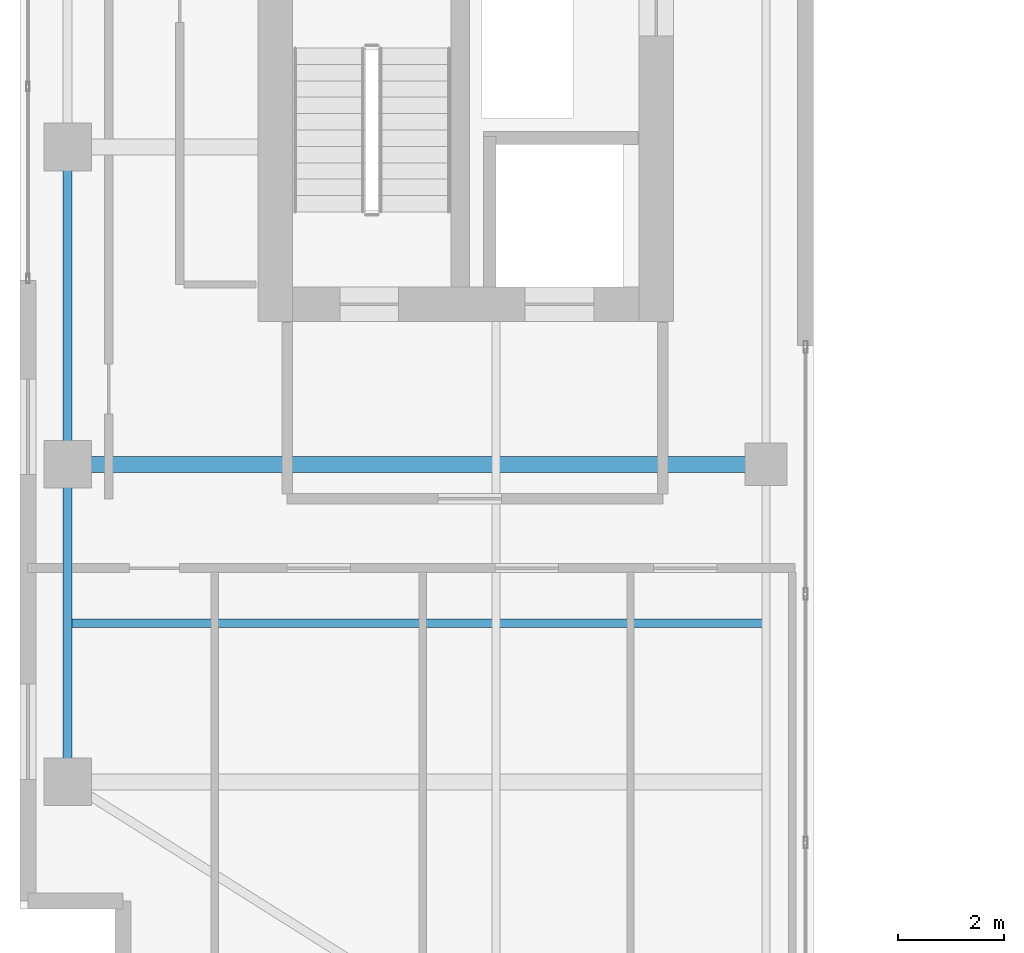
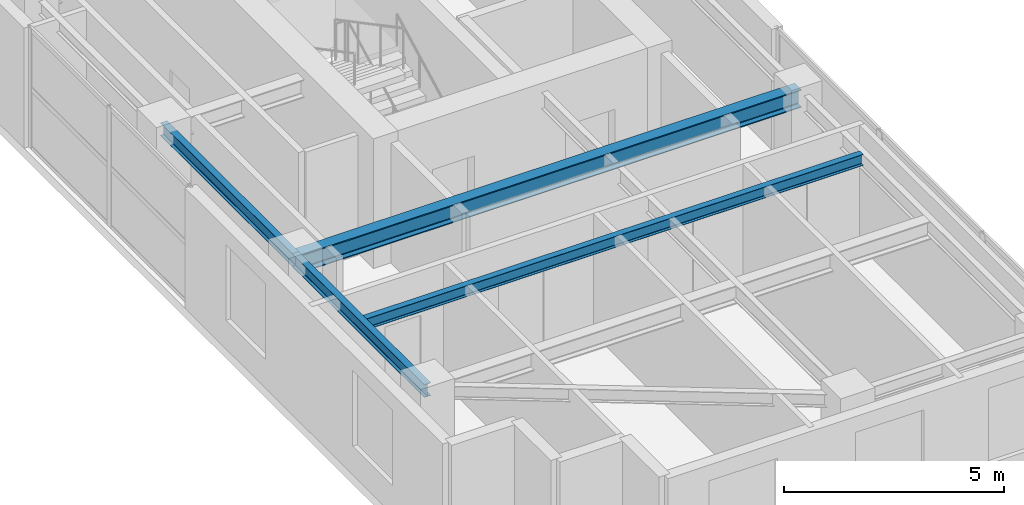
# One storey, part 3 of 20: 4 beams.
"""IFC4 building model written with IfcOpenShell, lengths in metres."""

from ifc_helpers import new_model, si_unit, direction, frame, origin, origin_2d, place, context, subcontext, project, spatial, i_section, extrude, source, transform, mapped, material, material_profile, profile_set, type_object, element, save


model = new_model("IFC4")

# Units and contexts
model_context = context("Model", 3, precision=1e-05, world=origin(), true_north=direction((0.0, 1.0)))
body_context = subcontext(model_context, "Body", "Model", "MODEL_VIEW")
ifc_project = project(units=[si_unit("LENGTHUNIT", "METRE"), si_unit("AREAUNIT", "SQUARE_METRE"), si_unit("VOLUMEUNIT", "CUBIC_METRE"), si_unit("PLANEANGLEUNIT", "RADIAN"), si_unit("MASSUNIT", "GRAM", prefix="KILO")], contexts=[model_context])

# Site, building, storey
site_placement = place(None, origin())
site = spatial("IfcSite", under=ifc_project, at=site_placement, CompositionType="ELEMENT")
building_placement = place(site_placement, origin())
building = spatial("IfcBuilding", under=site, at=building_placement, Name="Khoralis Quay Care Tower", CompositionType="ELEMENT")
storey_placement = place(building_placement, frame((0.0, 0.0, 198.89990234375)))
storey = spatial("IfcBuildingStorey", under=building, at=storey_placement, Name="L52", CompositionType="ELEMENT", Elevation=198.89990234375)

# Beams
ifc_material = material(Name="Steel S355", Category="steel")
ifc_material_profile_1 = material_profile(ifc_material, i_section(OverallWidth=0.169921875, OverallDepth=0.360107421875, WebThickness=0.008056640625, FlangeThickness=0.0126953125, FilletRadius=0.01806640625, at=origin_2d()), Name="Steel S355")
ifc_profile_set_1 = profile_set([ifc_material_profile_1], Name="Steel S355")
beam_type_1 = type_object("IfcBeamType", Name="BM-IPE360", PredefinedType="SPANDREL", material=ifc_profile_set_1)
shared_shape_1 = source(origin(), body_context, "Body", "SweptSolid", [
    extrude(i_section(OverallWidth=0.169921875, OverallDepth=0.360107421875, WebThickness=0.008056640625, FlangeThickness=0.0126953125, FilletRadius=0.01806640625, at=origin_2d()), origin(), (0.0, 0.0, 1.0), 6.0),
])
for number, where, z_axis, x_axis, name in (
    (1, (3.89990234375, 6.0, 3.16015625), (0.0, 1.0, 0.0), (-1.0, 0.0, 0.0), "BM-TSP-L52-05"),
    (2, (3.89990234375, 12.0, 3.16015625), (0.0, 1.0, 0.0), (-1.0, 0.0, 0.0), "BM-TSP-L52-06"),
):
    element("IfcBeam", number, at=place(storey_placement, frame(where, z_axis=z_axis, x_axis=x_axis)), inside=storey, type_object=beam_type_1, Name=name, PredefinedType="SPANDREL", context=body_context, shape_type="MappedRepresentation", body=[
        mapped(shared_shape_1, transform((0.0, 0.0, 0.0), scale=1.0)),
    ])
ifc_material_profile_2 = material_profile(ifc_material, i_section(OverallWidth=0.300048828125, OverallDepth=0.5, WebThickness=0.014404296875, FlangeThickness=0.028076171875, FilletRadius=0.027099609375, at=origin_2d()), Name="Steel S355")
ifc_profile_set_2 = profile_set([ifc_material_profile_2], Name="Steel S355")
beam_type_2 = type_object("IfcBeamType", Name="BM-HEB500", PredefinedType="BEAM", material=ifc_profile_set_2)
shared_shape_2 = source(origin(), body_context, "Body", "SweptSolid", [
    extrude(i_section(OverallWidth=0.300048828125, OverallDepth=0.5, WebThickness=0.014404296875, FlangeThickness=0.028076171875, FilletRadius=0.027099609375, at=origin_2d()), origin(), (0.0, 0.0, 1.0), 13.2001953125),
])
beam_1_placement = place(storey_placement, frame((3.89990234375, 12.0, 3.090087890625), z_axis=(1.0, 0.0, 0.0), x_axis=(0.0, 1.0, 0.0)))
element("IfcBeam", 3, at=beam_1_placement, inside=storey, type_object=beam_type_2, Name="BM-TGXW-L52-120", PredefinedType="BEAM", context=body_context, shape_type="MappedRepresentation", body=[
    mapped(shared_shape_2, transform((0.0, 0.0, 0.0), scale=1.0)),
])
ifc_material_profile_3 = material_profile(ifc_material, i_section(OverallWidth=0.1650390625, OverallDepth=0.31005859375, WebThickness=0.005859375, FlangeThickness=0.009765625, FilletRadius=0.011962890625, at=origin_2d()), Name="Steel S355")
ifc_profile_set_3 = profile_set([ifc_material_profile_3], Name="Steel S355")
beam_type_3 = type_object("IfcBeamType", Name="BM-W310X39", PredefinedType="JOIST", material=ifc_profile_set_3)
shared_shape_3 = source(origin(), body_context, "Body", "SweptSolid", [
    extrude(i_section(OverallWidth=0.1650390625, OverallDepth=0.31005859375, WebThickness=0.005859375, FlangeThickness=0.009765625, FilletRadius=0.011962890625, at=origin_2d()), origin(), (0.0, 0.0, 1.0), 13.06396484375),
])
beam_2_placement = place(storey_placement, frame((3.970947265625, 9.0, 3.18505859375), z_axis=(1.0, 0.0, 0.0), x_axis=(0.0, 1.0, 0.0)))
element("IfcBeam", 4, at=beam_2_placement, inside=storey, type_object=beam_type_3, Name="BM-TJS-L52-19", PredefinedType="JOIST", context=body_context, shape_type="MappedRepresentation", body=[
    mapped(shared_shape_3, transform((0.0, 0.0, 0.0), scale=1.0)),
])

save(model, "model.ifc")
